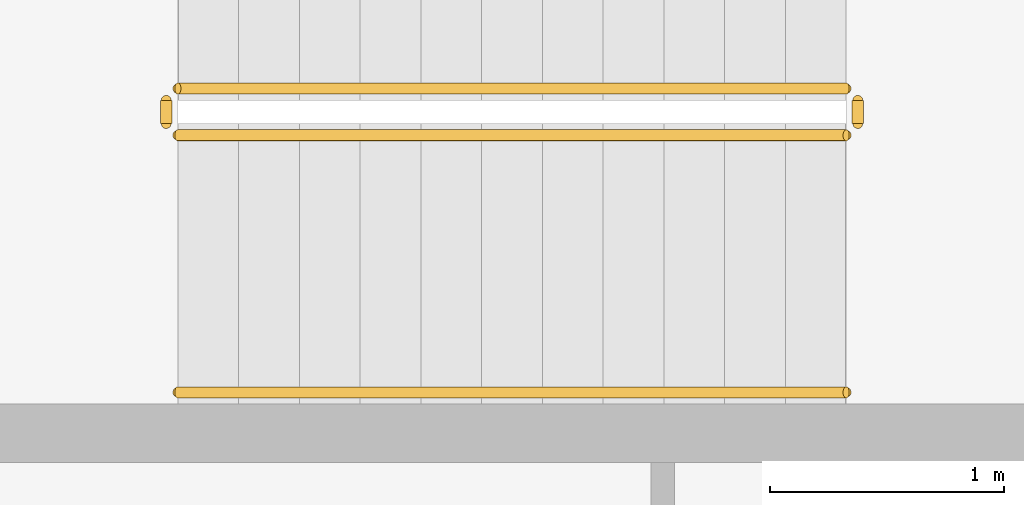
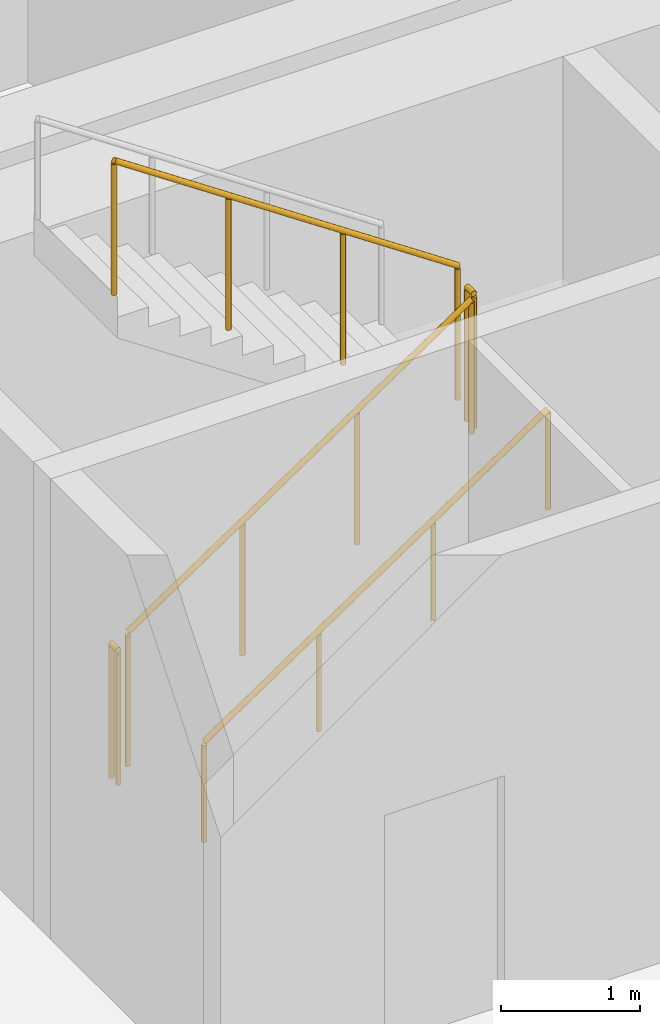
# One storey, part 21 of 25: 5 railings.
"""IFC4 building model written with IfcOpenShell, lengths in metres."""

from ifc_helpers import new_model, si_unit, direction, frame, origin, origin_2d, place, context, subcontext, project, spatial, circle, extrude, material, type_object, element, save


model = new_model("IFC4")

# Units and contexts
model_context = context("Model", 3, precision=1e-05, world=origin(), true_north=direction((0.0, 1.0)))
body_context = subcontext(model_context, "Body", "Model", "MODEL_VIEW")
ifc_project = project(units=[si_unit("LENGTHUNIT", "METRE"), si_unit("AREAUNIT", "SQUARE_METRE"), si_unit("VOLUMEUNIT", "CUBIC_METRE"), si_unit("PLANEANGLEUNIT", "RADIAN"), si_unit("MASSUNIT", "GRAM", prefix="KILO")], contexts=[model_context])

# Site, building, storey
site_placement = place(None, origin())
site = spatial("IfcSite", under=ifc_project, at=site_placement, CompositionType="ELEMENT")
building_placement = place(site_placement, origin())
building = spatial("IfcBuilding", under=site, at=building_placement, Name="Sahrelin Media Tower", CompositionType="ELEMENT")
storey_placement = place(building_placement, frame((0.0, 0.0, 79.800048828125)))
storey = spatial("IfcBuildingStorey", under=building, at=storey_placement, Name="L14", CompositionType="ELEMENT", Elevation=79.800048828125)

# Railings
ifc_material = material(Name="Steel S355", Category="steel")
railing_type_1 = type_object("IfcRailingType", Name="Stair guard 1200", PredefinedType="GUARDRAIL", material=ifc_material)
railing_1_placement = place(storey_placement, frame((-7.675048828125, 5.25, 0.175048828125)))
element("IfcRailing", 1, at=railing_1_placement, inside=storey, type_object=railing_type_1, Name="L14 ST1 stair guard 1", PredefinedType="GUARDRAIL", context=body_context, shape_type="SweptSolid", body=[
    extrude(circle(Radius=0.02392578125, at=origin_2d()), frame((0.0, 0.0, 1.17578125), z_axis=(0.829623704247, 0.0, 0.558322943601), x_axis=(0.0, 1.0, 0.0)), (0.0, 0.0, 1.0), 3.447509765625),
    extrude(circle(Radius=0.02099609375, at=origin_2d()), origin(), (0.0, 0.0, 1.0), 1.15185546875),
    extrude(circle(Radius=0.02099609375, at=origin_2d()), frame((0.953369140625, 0.0, 0.6416015625)), (0.0, 0.0, 1.0), 1.15185546875),
    extrude(circle(Radius=0.02099609375, at=origin_2d()), frame((1.90673828125, 0.0, 1.283203125)), (0.0, 0.0, 1.0), 1.15185546875),
    extrude(circle(Radius=0.02099609375, at=origin_2d()), frame((2.860107421875, 0.0, 1.9248046875)), (0.0, 0.0, 1.0), 1.15185546875),
])
railing_2_placement = place(storey_placement, frame((-4.764892578125, 5.300048828125, 2.099853515625)))
element("IfcRailing", 2, at=railing_2_placement, inside=storey, type_object=railing_type_1, Name="L14 ST1 stair guard 2", PredefinedType="GUARDRAIL", context=body_context, shape_type="SweptSolid", body=[
    extrude(circle(Radius=0.02392578125, at=origin_2d()), frame((0.0, 0.0, 1.17578125), z_axis=(0.0, 1.0, 0.0), x_axis=(-1.0, 0.0, 0.0)), (0.0, 0.0, 1.0), 0.099853515625),
    extrude(circle(Radius=0.02099609375, at=origin_2d()), origin(), (0.0, 0.0, 1.0), 1.15185546875),
    extrude(circle(Radius=0.02099609375, at=origin_2d()), frame((0.0, 0.099853515625, 0.0)), (0.0, 0.0, 1.0), 1.15185546875),
])
railing_3_placement = place(storey_placement, frame((-4.81494140625, 5.449951171875, 2.27490234375)))
element("IfcRailing", 3, at=railing_3_placement, inside=storey, type_object=railing_type_1, Name="L14 ST1 stair guard 3", PredefinedType="GUARDRAIL", context=body_context, shape_type="SweptSolid", body=[
    extrude(circle(Radius=0.02392578125, at=origin_2d()), frame((0.0, 0.0, 1.17578125), z_axis=(-0.829590901723, 0.0, 0.558371682465), x_axis=(0.0, -1.0, 0.0)), (0.0, 0.0, 1.0), 3.447509765625),
    extrude(circle(Radius=0.02099609375, at=origin_2d()), origin(), (0.0, 0.0, 1.0), 1.15185546875),
    extrude(circle(Radius=0.02099609375, at=origin_2d()), frame((-0.953369140625, 0.0, 0.6416015625)), (0.0, 0.0, 1.0), 1.15185546875),
    extrude(circle(Radius=0.02099609375, at=origin_2d()), frame((-1.90673828125, 0.0, 1.283447265625)), (0.0, 0.0, 1.0), 1.15185546875),
    extrude(circle(Radius=0.02099609375, at=origin_2d()), frame((-2.860107421875, 0.0, 1.925048828125)), (0.0, 0.0, 1.0), 1.15185546875),
])
railing_4_placement = place(storey_placement, frame((-7.72509765625, 5.300048828125, 0.0)))
element("IfcRailing", 4, at=railing_4_placement, inside=storey, type_object=railing_type_1, Name="L14 ST1 stair guard 4", PredefinedType="GUARDRAIL", context=body_context, shape_type="SweptSolid", body=[
    extrude(circle(Radius=0.02392578125, at=origin_2d()), frame((0.0, 0.0, 1.17578125), z_axis=(0.0, 1.0, 0.0), x_axis=(-1.0, 0.0, 0.0)), (0.0, 0.0, 1.0), 0.099853515625),
    extrude(circle(Radius=0.02099609375, at=origin_2d()), origin(), (0.0, 0.0, 1.0), 1.15185546875),
    extrude(circle(Radius=0.02099609375, at=origin_2d()), frame((0.0, 0.099853515625, 0.0)), (0.0, 0.0, 1.0), 1.15185546875),
])
railing_type_2 = type_object("IfcRailingType", Name="Stair handrail 900", PredefinedType="HANDRAIL", material=ifc_material)
railing_5_placement = place(storey_placement, frame((-7.675048828125, 4.14990234375, 0.175048828125)))
element("IfcRailing", 5, at=railing_5_placement, inside=storey, type_object=railing_type_2, Name="L14 ST1 stair handrail 1", PredefinedType="HANDRAIL", context=body_context, shape_type="SweptSolid", body=[
    extrude(circle(Radius=0.02392578125, at=origin_2d()), frame((0.0, 0.0, 0.8759765625), z_axis=(0.829623704247, 0.0, 0.558322943601), x_axis=(0.0, 1.0, 0.0)), (0.0, 0.0, 1.0), 3.447509765625),
    extrude(circle(Radius=0.02099609375, at=origin_2d()), origin(), (0.0, 0.0, 1.0), 0.851806640625),
    extrude(circle(Radius=0.02099609375, at=origin_2d()), frame((0.953369140625, 0.0, 0.6416015625)), (0.0, 0.0, 1.0), 0.851806640625),
    extrude(circle(Radius=0.02099609375, at=origin_2d()), frame((1.90673828125, 0.0, 1.283203125)), (0.0, 0.0, 1.0), 0.851806640625),
    extrude(circle(Radius=0.02099609375, at=origin_2d()), frame((2.860107421875, 0.0, 1.9248046875)), (0.0, 0.0, 1.0), 0.851806640625),
])

save(model, "model.ifc")
